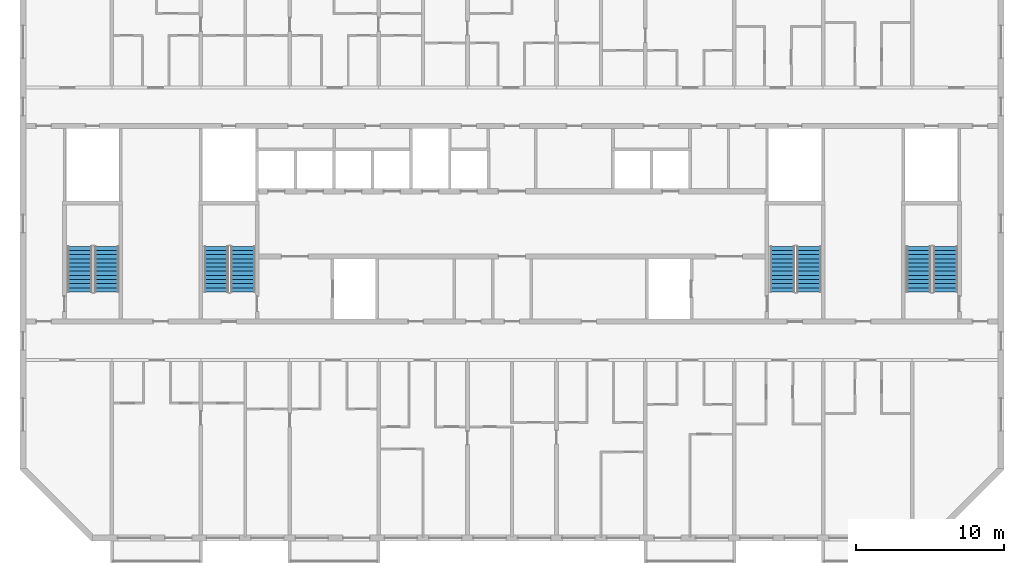
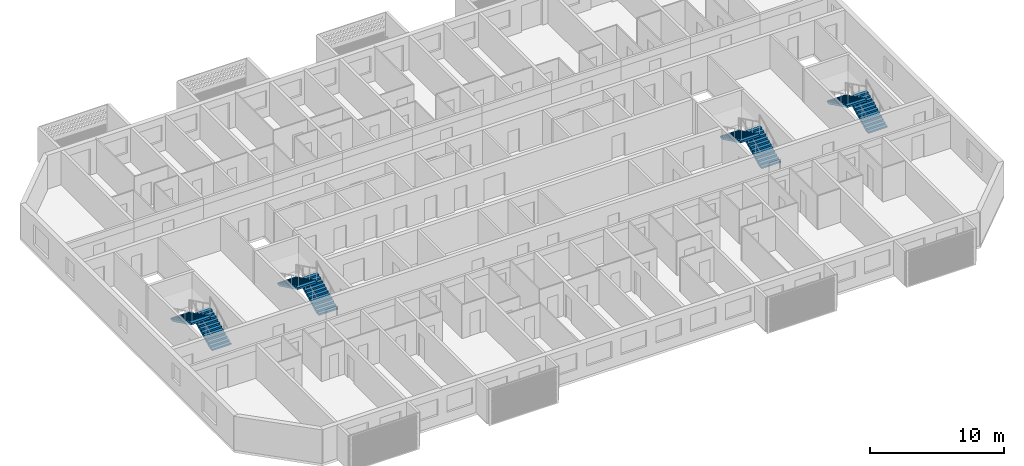
# One storey, part 12 of 26: 8 stair flights, 4 elements without a shape of their own.
"""IFC4 building model written with IfcOpenShell, lengths in metres."""

from ifc_helpers import new_model, si_unit, direction, frame, origin, place, context, subcontext, project, spatial, polyline, outline, extrude, material, layer, layer_set, type_object, element, aggregate, save


model = new_model("IFC4")

# Units and contexts
model_context = context("Model", 3, precision=1e-05, world=origin(), true_north=direction((0.0, 1.0)))
body_context = subcontext(model_context, "Body", "Model", "MODEL_VIEW")
ifc_project = project(units=[si_unit("LENGTHUNIT", "METRE"), si_unit("AREAUNIT", "SQUARE_METRE"), si_unit("VOLUMEUNIT", "CUBIC_METRE"), si_unit("PLANEANGLEUNIT", "RADIAN"), si_unit("MASSUNIT", "GRAM", prefix="KILO")], contexts=[model_context])

# Site, building, storey
site_placement = place(None, origin())
site = spatial("IfcSite", under=ifc_project, at=site_placement, CompositionType="ELEMENT")
building_placement = place(site_placement, origin())
building = spatial("IfcBuilding", under=site, at=building_placement, Name="Poui Terraces", CompositionType="ELEMENT")
storey_placement = place(building_placement, frame((0.0, 0.0, 247.800048828125)))
storey = spatial("IfcBuildingStorey", under=building, at=storey_placement, Name="L69", CompositionType="ELEMENT", Elevation=247.800048828125)

# Stair, stair flights
ifc_material = material(Name="Concrete 50 MPa", Category="concrete")
stair_type = type_object("IfcStairType", Name="EXIT STAIR 1650 50 MPA", PredefinedType="HALF_TURN_STAIR", material=ifc_material)
stair_1_placement = place(storey_placement, origin())
stair_1 = element("IfcStair", 1, at=stair_1_placement, inside=storey, type_object=stair_type, Name="L69 CORE STAIR EAST", PredefinedType="HALF_TURN_STAIR")
ifc_layer = layer(ifc_material, 0.14990234375)
ifc_layer_set = layer_set([ifc_layer], Name="Concrete 50 MPa")
stair_flight_type = type_object("IfcStairFlightType", Name="STAIR FLIGHT 12 RISERS 138 RISE 50 MPA", PredefinedType="STRAIGHT", material=ifc_layer_set)
stair_flight_1_placement = place(storey_placement, frame((71.050048828125, 16.60009765625, 0.0), z_axis=(0.0, 0.0, 1.0), x_axis=(0.0, 1.0, 0.0)))
stair_flight_1 = element("IfcStairFlight", 2, at=stair_flight_1_placement, type_object=stair_flight_type, Name="ST-CE flight 1", NumberOfRisers=12, NumberOfTreads=11, PredefinedType="STRAIGHT", RiserHeight=0.1375, TreadLength=0.28, context=body_context, shape_type="SweptSolid", body=[
    extrude(outline(polyline([(0.0, 0.0), (0.0, 0.137451171875), (0.280029296875, 0.137451171875), (0.280029296875, 0.27490234375), (0.56005859375, 0.27490234375), (0.56005859375, 0.41259765625), (0.840087890625, 0.41259765625), (0.840087890625, 0.550048828125), (1.1201171875, 0.550048828125), (1.1201171875, 0.6875), (1.39990234375, 0.6875), (1.39990234375, 0.824951171875), (1.679931640625, 0.824951171875), (1.679931640625, 0.96240234375), (1.9599609375, 0.96240234375), (1.9599609375, 1.10009765625), (2.239990234375, 1.10009765625), (2.239990234375, 1.237548828125), (2.52001953125, 1.237548828125), (2.52001953125, 1.375), (2.800048828125, 1.375), (2.800048828125, 1.512451171875), (3.080078125, 1.512451171875), (3.080078125, 1.64990234375), (3.080078125, 1.345458984375), (0.340087890625, 0.0), (0.0, 0.0)])), frame((0.0, 0.824951171875, 0.0), z_axis=(0.0, -1.0, 0.0), x_axis=(1.0, 0.0, 0.0)), (0.0, 0.0, 1.0), 1.64990234375),
])
stair_flight_2_placement = place(storey_placement, frame((69.25, 19.679931640625, 1.64990234375), z_axis=(0.0, 0.0, 1.0), x_axis=(0.0, -1.0, 0.0)))
stair_flight_2 = element("IfcStairFlight", 3, at=stair_flight_2_placement, type_object=stair_flight_type, Name="ST-CE flight 2", NumberOfRisers=12, NumberOfTreads=11, PredefinedType="STRAIGHT", RiserHeight=0.1375, TreadLength=0.28, context=body_context, shape_type="SweptSolid", body=[
    extrude(outline(polyline([(0.0, 0.0), (0.0, 0.137451171875), (0.280029296875, 0.137451171875), (0.280029296875, 0.27490234375), (0.56005859375, 0.27490234375), (0.56005859375, 0.41259765625), (0.840087890625, 0.41259765625), (0.840087890625, 0.550048828125), (1.1201171875, 0.550048828125), (1.1201171875, 0.6875), (1.39990234375, 0.6875), (1.39990234375, 0.824951171875), (1.679931640625, 0.824951171875), (1.679931640625, 0.96240234375), (1.9599609375, 0.96240234375), (1.9599609375, 1.10009765625), (2.239990234375, 1.10009765625), (2.239990234375, 1.237548828125), (2.52001953125, 1.237548828125), (2.52001953125, 1.375), (2.800048828125, 1.375), (2.800048828125, 1.512451171875), (3.080078125, 1.512451171875), (3.080078125, 1.64990234375), (3.080078125, 1.345458984375), (0.340087890625, 0.0), (0.0, 0.0)])), frame((0.0, 0.824951171875, 0.0), z_axis=(0.0, -1.0, 0.0), x_axis=(1.0, 0.0, 0.0)), (0.0, 0.0, 1.0), 1.64990234375),
])
aggregate(stair_1, [stair_flight_1, stair_flight_2])

stair_2_placement = place(storey_placement, origin())
stair_2 = element("IfcStair", 4, at=stair_2_placement, inside=storey, type_object=stair_type, Name="L69 CORE STAIR WEST", PredefinedType="HALF_TURN_STAIR")
stair_flight_3_placement = place(storey_placement, frame((32.85009765625, 16.60009765625, 0.0), z_axis=(0.0, 0.0, 1.0), x_axis=(0.0, 1.0, 0.0)))
stair_flight_3 = element("IfcStairFlight", 5, at=stair_flight_3_placement, type_object=stair_flight_type, Name="ST-CW flight 1", NumberOfRisers=12, NumberOfTreads=11, PredefinedType="STRAIGHT", RiserHeight=0.1375, TreadLength=0.28, context=body_context, shape_type="SweptSolid", body=[
    extrude(outline(polyline([(0.0, 0.0), (0.0, 0.137451171875), (0.280029296875, 0.137451171875), (0.280029296875, 0.27490234375), (0.56005859375, 0.27490234375), (0.56005859375, 0.41259765625), (0.840087890625, 0.41259765625), (0.840087890625, 0.550048828125), (1.1201171875, 0.550048828125), (1.1201171875, 0.6875), (1.39990234375, 0.6875), (1.39990234375, 0.824951171875), (1.679931640625, 0.824951171875), (1.679931640625, 0.96240234375), (1.9599609375, 0.96240234375), (1.9599609375, 1.10009765625), (2.239990234375, 1.10009765625), (2.239990234375, 1.237548828125), (2.52001953125, 1.237548828125), (2.52001953125, 1.375), (2.800048828125, 1.375), (2.800048828125, 1.512451171875), (3.080078125, 1.512451171875), (3.080078125, 1.64990234375), (3.080078125, 1.345458984375), (0.340087890625, 0.0), (0.0, 0.0)])), frame((0.0, 0.824951171875, 0.0), z_axis=(0.0, -1.0, 0.0), x_axis=(1.0, 0.0, 0.0)), (0.0, 0.0, 1.0), 1.64990234375),
])
stair_flight_4_placement = place(storey_placement, frame((31.050048828125, 19.679931640625, 1.64990234375), z_axis=(0.0, 0.0, 1.0), x_axis=(0.0, -1.0, 0.0)))
stair_flight_4 = element("IfcStairFlight", 6, at=stair_flight_4_placement, type_object=stair_flight_type, Name="ST-CW flight 2", NumberOfRisers=12, NumberOfTreads=11, PredefinedType="STRAIGHT", RiserHeight=0.1375, TreadLength=0.28, context=body_context, shape_type="SweptSolid", body=[
    extrude(outline(polyline([(0.0, 0.0), (0.0, 0.137451171875), (0.280029296875, 0.137451171875), (0.280029296875, 0.27490234375), (0.56005859375, 0.27490234375), (0.56005859375, 0.41259765625), (0.840087890625, 0.41259765625), (0.840087890625, 0.550048828125), (1.1201171875, 0.550048828125), (1.1201171875, 0.6875), (1.39990234375, 0.6875), (1.39990234375, 0.824951171875), (1.679931640625, 0.824951171875), (1.679931640625, 0.96240234375), (1.9599609375, 0.96240234375), (1.9599609375, 1.10009765625), (2.239990234375, 1.10009765625), (2.239990234375, 1.237548828125), (2.52001953125, 1.237548828125), (2.52001953125, 1.375), (2.800048828125, 1.375), (2.800048828125, 1.512451171875), (3.080078125, 1.512451171875), (3.080078125, 1.64990234375), (3.080078125, 1.345458984375), (0.340087890625, 0.0), (0.0, 0.0)])), frame((0.0, 0.824951171875, 0.0), z_axis=(0.0, -1.0, 0.0), x_axis=(1.0, 0.0, 0.0)), (0.0, 0.0, 1.0), 1.64990234375),
])
aggregate(stair_2, [stair_flight_3, stair_flight_4])

stair_3_placement = place(storey_placement, origin())
stair_3 = element("IfcStair", 7, at=stair_3_placement, inside=storey, type_object=stair_type, Name="L69 TIP STAIR EAST", PredefinedType="HALF_TURN_STAIR")
stair_flight_5_placement = place(storey_placement, frame((80.25, 16.60009765625, 0.0), z_axis=(0.0, 0.0, 1.0), x_axis=(0.0, 1.0, 0.0)))
stair_flight_5 = element("IfcStairFlight", 8, at=stair_flight_5_placement, type_object=stair_flight_type, Name="ST-E flight 1", NumberOfRisers=12, NumberOfTreads=11, PredefinedType="STRAIGHT", RiserHeight=0.1375, TreadLength=0.28, context=body_context, shape_type="SweptSolid", body=[
    extrude(outline(polyline([(0.0, 0.0), (0.0, 0.137451171875), (0.280029296875, 0.137451171875), (0.280029296875, 0.27490234375), (0.56005859375, 0.27490234375), (0.56005859375, 0.41259765625), (0.840087890625, 0.41259765625), (0.840087890625, 0.550048828125), (1.1201171875, 0.550048828125), (1.1201171875, 0.6875), (1.39990234375, 0.6875), (1.39990234375, 0.824951171875), (1.679931640625, 0.824951171875), (1.679931640625, 0.96240234375), (1.9599609375, 0.96240234375), (1.9599609375, 1.10009765625), (2.239990234375, 1.10009765625), (2.239990234375, 1.237548828125), (2.52001953125, 1.237548828125), (2.52001953125, 1.375), (2.800048828125, 1.375), (2.800048828125, 1.512451171875), (3.080078125, 1.512451171875), (3.080078125, 1.64990234375), (3.080078125, 1.345458984375), (0.340087890625, 0.0), (0.0, 0.0)])), frame((0.0, 0.824951171875, 0.0), z_axis=(0.0, -1.0, 0.0), x_axis=(1.0, 0.0, 0.0)), (0.0, 0.0, 1.0), 1.64990234375),
])
stair_flight_6_placement = place(storey_placement, frame((78.449951171875, 19.679931640625, 1.64990234375), z_axis=(0.0, 0.0, 1.0), x_axis=(0.0, -1.0, 0.0)))
stair_flight_6 = element("IfcStairFlight", 9, at=stair_flight_6_placement, type_object=stair_flight_type, Name="ST-E flight 2", NumberOfRisers=12, NumberOfTreads=11, PredefinedType="STRAIGHT", RiserHeight=0.1375, TreadLength=0.28, context=body_context, shape_type="SweptSolid", body=[
    extrude(outline(polyline([(0.0, 0.0), (0.0, 0.137451171875), (0.280029296875, 0.137451171875), (0.280029296875, 0.27490234375), (0.56005859375, 0.27490234375), (0.56005859375, 0.41259765625), (0.840087890625, 0.41259765625), (0.840087890625, 0.550048828125), (1.1201171875, 0.550048828125), (1.1201171875, 0.6875), (1.39990234375, 0.6875), (1.39990234375, 0.824951171875), (1.679931640625, 0.824951171875), (1.679931640625, 0.96240234375), (1.9599609375, 0.96240234375), (1.9599609375, 1.10009765625), (2.239990234375, 1.10009765625), (2.239990234375, 1.237548828125), (2.52001953125, 1.237548828125), (2.52001953125, 1.375), (2.800048828125, 1.375), (2.800048828125, 1.512451171875), (3.080078125, 1.512451171875), (3.080078125, 1.64990234375), (3.080078125, 1.345458984375), (0.340087890625, 0.0), (0.0, 0.0)])), frame((0.0, 0.824951171875, 0.0), z_axis=(0.0, -1.0, 0.0), x_axis=(1.0, 0.0, 0.0)), (0.0, 0.0, 1.0), 1.64990234375),
])
aggregate(stair_3, [stair_flight_5, stair_flight_6])

stair_4_placement = place(storey_placement, origin())
stair_4 = element("IfcStair", 10, at=stair_4_placement, inside=storey, type_object=stair_type, Name="L69 TIP STAIR WEST", PredefinedType="HALF_TURN_STAIR")
stair_flight_7_placement = place(storey_placement, frame((23.64990234375, 16.60009765625, 0.0), z_axis=(0.0, 0.0, 1.0), x_axis=(0.0, 1.0, 0.0)))
stair_flight_7 = element("IfcStairFlight", 11, at=stair_flight_7_placement, type_object=stair_flight_type, Name="ST-W flight 1", NumberOfRisers=12, NumberOfTreads=11, PredefinedType="STRAIGHT", RiserHeight=0.1375, TreadLength=0.28, context=body_context, shape_type="SweptSolid", body=[
    extrude(outline(polyline([(0.0, 0.0), (0.0, 0.137451171875), (0.280029296875, 0.137451171875), (0.280029296875, 0.27490234375), (0.56005859375, 0.27490234375), (0.56005859375, 0.41259765625), (0.840087890625, 0.41259765625), (0.840087890625, 0.550048828125), (1.1201171875, 0.550048828125), (1.1201171875, 0.6875), (1.39990234375, 0.6875), (1.39990234375, 0.824951171875), (1.679931640625, 0.824951171875), (1.679931640625, 0.96240234375), (1.9599609375, 0.96240234375), (1.9599609375, 1.10009765625), (2.239990234375, 1.10009765625), (2.239990234375, 1.237548828125), (2.52001953125, 1.237548828125), (2.52001953125, 1.375), (2.800048828125, 1.375), (2.800048828125, 1.512451171875), (3.080078125, 1.512451171875), (3.080078125, 1.64990234375), (3.080078125, 1.345458984375), (0.340087890625, 0.0), (0.0, 0.0)])), frame((0.0, 0.824951171875, 0.0), z_axis=(0.0, -1.0, 0.0), x_axis=(1.0, 0.0, 0.0)), (0.0, 0.0, 1.0), 1.64990234375),
])
stair_flight_8_placement = place(storey_placement, frame((21.85009765625, 19.679931640625, 1.64990234375), z_axis=(0.0, 0.0, 1.0), x_axis=(0.0, -1.0, 0.0)))
stair_flight_8 = element("IfcStairFlight", 12, at=stair_flight_8_placement, type_object=stair_flight_type, Name="ST-W flight 2", NumberOfRisers=12, NumberOfTreads=11, PredefinedType="STRAIGHT", RiserHeight=0.1375, TreadLength=0.28, context=body_context, shape_type="SweptSolid", body=[
    extrude(outline(polyline([(0.0, 0.0), (0.0, 0.137451171875), (0.280029296875, 0.137451171875), (0.280029296875, 0.27490234375), (0.56005859375, 0.27490234375), (0.56005859375, 0.41259765625), (0.840087890625, 0.41259765625), (0.840087890625, 0.550048828125), (1.1201171875, 0.550048828125), (1.1201171875, 0.6875), (1.39990234375, 0.6875), (1.39990234375, 0.824951171875), (1.679931640625, 0.824951171875), (1.679931640625, 0.96240234375), (1.9599609375, 0.96240234375), (1.9599609375, 1.10009765625), (2.239990234375, 1.10009765625), (2.239990234375, 1.237548828125), (2.52001953125, 1.237548828125), (2.52001953125, 1.375), (2.800048828125, 1.375), (2.800048828125, 1.512451171875), (3.080078125, 1.512451171875), (3.080078125, 1.64990234375), (3.080078125, 1.345458984375), (0.340087890625, 0.0), (0.0, 0.0)])), frame((0.0, 0.824951171875, 0.0), z_axis=(0.0, -1.0, 0.0), x_axis=(1.0, 0.0, 0.0)), (0.0, 0.0, 1.0), 1.64990234375),
])
aggregate(stair_4, [stair_flight_7, stair_flight_8])

save(model, "model.ifc")
